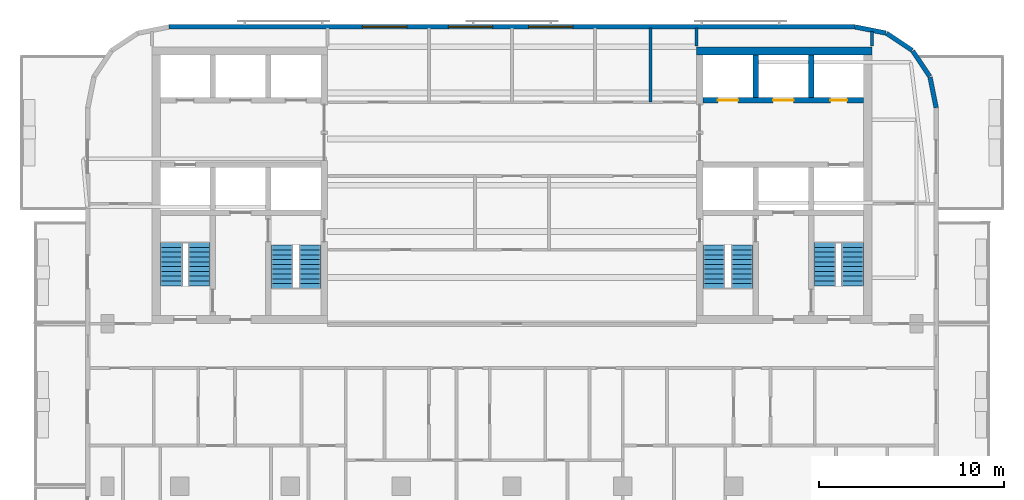
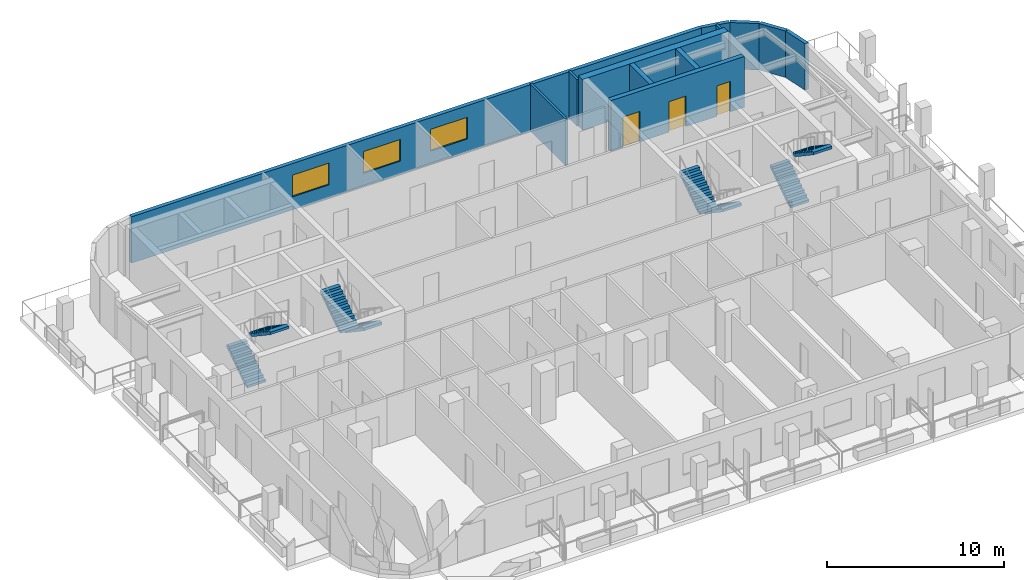
# One storey, part 7 of 11: 12 walls, 8 stair flights, 3 doors, 3 windows, 6 openings, 4 elements without a shape of their own.
"""IFC4 building model written with IfcOpenShell, lengths in metres."""

import ifcopenshell
import ifcopenshell.guid

model = None  # the IFC model being written
_history = None  # IfcOwnerHistory: only IFC2X3 demands one
_inside = {}  # id of a spatial element -> (the spatial element, [elements in it])
_under = {}  # id of a project, library or spatial element -> (it, [spatial elements below it])
_declared = {}  # id of a project -> (the project, [libraries it declares])
_typed = {}  # id of a type object -> (the type object, [elements of that type])
_made_of = {}  # id of a material, layer set ... -> (it, [elements and type objects made of it])


def new_model(schema):
    """Start an empty IFC model of exactly this schema.

    Asked for "IFC4X3", IfcOpenShell would pick the latest addendum, in which some entities
    have other attributes; the version numbers below select the first issue.
    IFC2X3 requires an IfcOwnerHistory on every rooted entity: one is made here for all.
    """
    global model, _history
    if schema == "IFC4X3":
        model = ifcopenshell.file(schema_version=(4, 3, 0, 0))
    else:
        model = ifcopenshell.file(schema=schema)
    _inside.clear()
    _under.clear()
    _declared.clear()
    _typed.clear()
    _made_of.clear()
    _history = None
    if model.schema == "IFC2X3":
        org = make("IfcOrganization", Name="unknown")
        user = make(
            "IfcPersonAndOrganization",
            ThePerson=make("IfcPerson", FamilyName="unknown"),
            TheOrganization=org,
        )
        app = make(
            "IfcApplication",
            ApplicationDeveloper=org,
            Version="unknown",
            ApplicationFullName="unknown",
            ApplicationIdentifier="unknown",
        )
        _history = make(
            "IfcOwnerHistory",
            OwningUser=user,
            OwningApplication=app,
            ChangeAction="ADDED",
            CreationDate=0,
        )
    return model


def make(cls, **values):
    """One entity of the class cls with the attributes given. An attribute that is None is left unset."""
    return model.create_entity(
        cls, **{name: value for name, value in values.items() if value is not None}
    )


def rooted(cls, **values):
    """An entity with a GlobalId (a new one), such as an element, a storey or a relation."""
    return make(cls, GlobalId=ifcopenshell.guid.new(), OwnerHistory=_history, **values)


def si_unit(unit_type, name, prefix=None):
    """IfcSIUnit, for example si_unit("LENGTHUNIT", "METRE", prefix="MILLI")."""
    return make("IfcSIUnit", UnitType=unit_type, Prefix=prefix, Name=name)


def assignment(units):
    """IfcUnitAssignment: the units of a project."""
    return None if units is None else make("IfcUnitAssignment", Units=units)


def point(xyz):
    """IfcCartesianPoint."""
    return None if xyz is None else make("IfcCartesianPoint", Coordinates=xyz)


def direction(xyz):
    """IfcDirection."""
    return None if xyz is None else make("IfcDirection", DirectionRatios=xyz)


def frame(location, z_axis=None, x_axis=None):
    """IfcAxis2Placement3D, a coordinate frame: its origin and axes. An axis left out is left unset."""
    return make(
        "IfcAxis2Placement3D",
        Location=point(location),
        Axis=direction(z_axis),
        RefDirection=direction(x_axis),
    )


def frame_2d(location, x_axis=None):
    """IfcAxis2Placement2D, a coordinate frame in the plane: its origin and x axis."""
    return make(
        "IfcAxis2Placement2D", Location=point(location), RefDirection=direction(x_axis)
    )


def origin():
    """The frame at (0, 0, 0) with its axes left unset."""
    return frame((0.0, 0.0, 0.0))


def place(relative_to, where):
    """IfcLocalPlacement: puts the frame where relative to a parent placement (None: the world)."""
    return make(
        "IfcLocalPlacement", PlacementRelTo=relative_to, RelativePlacement=where
    )


def context(
    kind, dimensions, precision=None, world=None, true_north=None, identifier=None
):
    """IfcGeometricRepresentationContext, for example the 3D "Model" context."""
    return make(
        "IfcGeometricRepresentationContext",
        ContextIdentifier=identifier,
        ContextType=kind,
        CoordinateSpaceDimension=dimensions,
        Precision=precision,
        WorldCoordinateSystem=world,
        TrueNorth=true_north,
    )


def subcontext(parent, identifier, kind, view, scale=None):
    """IfcGeometricRepresentationSubContext, for example "Body" below "Model"."""
    return make(
        "IfcGeometricRepresentationSubContext",
        ContextIdentifier=identifier,
        ContextType=kind,
        ParentContext=parent,
        TargetScale=scale,
        TargetView=view,
    )


def project(units=None, contexts=None):
    """IfcProject with its units and contexts."""
    return rooted(
        "IfcProject",
        Name="project",
        RepresentationContexts=contexts,
        UnitsInContext=assignment(units),
    )


def spatial(cls, under=None, at=None, **own):
    """A site, building, storey or space (cls), placed at a placement, below another one or the project."""
    s = rooted(cls, ObjectPlacement=at, **own)
    if under is not None:
        _under.setdefault(under.id(), (under, []))[1].append(s)
    return s


def polyline(points):
    """IfcPolyline through the points."""
    return make("IfcPolyline", Points=[point(p) for p in points])


def profile(cls, at=None, kind="AREA", **sizes):
    """A parametric profile (cls). Its sizes go by their IFC names, for example OverallWidth=200.0."""
    return make(cls, ProfileType=kind, Position=at, **sizes)


def rectangle(**sizes):
    """IfcRectangleProfileDef."""
    return profile("IfcRectangleProfileDef", **sizes)


def outline(outer, holes=None, kind="AREA"):
    """IfcArbitraryClosedProfileDef: a profile drawn as a closed curve; with holes, ...WithVoids."""
    if holes is None:
        return make("IfcArbitraryClosedProfileDef", ProfileType=kind, OuterCurve=outer)
    return make(
        "IfcArbitraryProfileDefWithVoids",
        ProfileType=kind,
        OuterCurve=outer,
        InnerCurves=holes,
    )


def extrude(swept, where, along, depth):
    """IfcExtrudedAreaSolid: the profile swept, set in the frame where, extruded along a direction by depth."""
    return make(
        "IfcExtrudedAreaSolid",
        SweptArea=swept,
        Position=where,
        ExtrudedDirection=direction(along),
        Depth=depth,
    )


def shape(context_of_items, identifier, shape_type, items):
    """IfcShapeRepresentation: the items that make up one representation, for example the "Body"."""
    return make(
        "IfcShapeRepresentation",
        ContextOfItems=context_of_items,
        RepresentationIdentifier=identifier,
        RepresentationType=shape_type,
        Items=items,
    )


def material(Name=None, Category=None):
    """IfcMaterial."""
    return make("IfcMaterial", Name=Name, Category=Category)


def layer(
    of_material, thickness, ventilated=None, Name=None, Category=None, Priority=None
):
    """IfcMaterialLayer: one layer of a wall or slab, of a material (None: an air gap)."""
    return make(
        "IfcMaterialLayer",
        Material=of_material,
        LayerThickness=thickness,
        IsVentilated=ventilated,
        Name=Name,
        Category=Category,
        Priority=Priority,
    )


def layer_set(layers, Name=None):
    """IfcMaterialLayerSet."""
    return make("IfcMaterialLayerSet", MaterialLayers=layers, LayerSetName=Name)


def made_of(thing, what):
    """Note that an element or type object is made of a material, layer set ...; save() writes the relation."""
    if what is not None:
        _made_of.setdefault(what.id(), (what, []))[1].append(thing)
    return thing


def type_object(cls, material=None, **own):
    """A type object (cls), such as IfcWallType, which elements share."""
    return made_of(rooted(cls, **own), material)


def element(
    cls,
    number,
    at=None,
    inside=None,
    cuts=None,
    type_object=None,
    material=None,
    context=None,
    identifier="Body",
    shape_type=None,
    held_by="IfcProductDefinitionShape",
    body=None,
    shapes=None,
    **own,
):
    """One element of the class cls, such as IfcWall. Its Tag is "e" and its number.

    at: its placement. inside: the storey or other place that contains it. cuts: it is an
    opening in that element (IfcRelVoidsElement). A single representation is given by context,
    identifier, shape_type and body (its items); several are given by shapes. held_by: the class
    of the entity that holds the representations. save() writes the other relations.
    """
    e = rooted(cls, Tag="e%d" % number, ObjectPlacement=at, **own)
    if body is not None:
        shapes = [shape(context, identifier, shape_type, body)]
    if shapes is not None:
        e.Representation = make(held_by, Representations=shapes)
    if inside is not None:
        _inside.setdefault(inside.id(), (inside, []))[1].append(e)
    if cuts is not None:
        rooted(
            "IfcRelVoidsElement", RelatingBuildingElement=cuts, RelatedOpeningElement=e
        )
    if type_object is not None:
        _typed.setdefault(type_object.id(), (type_object, []))[1].append(e)
    return made_of(e, material)


def fill(opening, filler):
    """IfcRelFillsElement: the door or window that sits in an opening."""
    return rooted(
        "IfcRelFillsElement",
        RelatingOpeningElement=opening,
        RelatedBuildingElement=filler,
    )


def aggregate(whole, parts):
    """IfcRelAggregates: a whole, such as a stair, and the parts it consists of."""
    return rooted("IfcRelAggregates", RelatingObject=whole, RelatedObjects=parts)


def save(model, path):
    """Write the relations noted so far, then the file.

    IfcRelAggregates (storeys below a building ...), IfcRelContainedInSpatialStructure (elements
    in a storey), IfcRelDefinesByType, IfcRelAssociatesMaterial and IfcRelDeclares: one each for
    every whole, place, type object, material and project.
    """
    for whole, parts in _under.values():
        aggregate(whole, parts)
    for where, things in _inside.values():
        rooted(
            "IfcRelContainedInSpatialStructure",
            RelatedElements=things,
            RelatingStructure=where,
        )
    for kind, things in _typed.values():
        rooted("IfcRelDefinesByType", RelatedObjects=things, RelatingType=kind)
    for what, things in _made_of.values():
        rooted("IfcRelAssociatesMaterial", RelatedObjects=things, RelatingMaterial=what)
    for by, libraries in _declared.values():
        rooted("IfcRelDeclares", RelatingContext=by, RelatedDefinitions=libraries)
    model.write(path)


model = new_model("IFC4")

# Units and contexts
model_context = context("Model", 3, precision=1e-05, world=origin(), true_north=direction((0.0, 1.0)))
body_context = subcontext(model_context, "Body", "Model", "MODEL_VIEW")
ifc_project = project(units=[si_unit("LENGTHUNIT", "METRE"), si_unit("AREAUNIT", "SQUARE_METRE"), si_unit("VOLUMEUNIT", "CUBIC_METRE"), si_unit("PLANEANGLEUNIT", "RADIAN"), si_unit("MASSUNIT", "GRAM", prefix="KILO")], contexts=[model_context])

# Site, building, storey
site_placement = place(None, origin())
site = spatial("IfcSite", under=ifc_project, at=site_placement, CompositionType="ELEMENT")
building_placement = place(site_placement, origin())
building = spatial("IfcBuilding", under=site, at=building_placement, Name="Torana Hotel and Residences", CompositionType="ELEMENT")
storey_placement = place(building_placement, frame((0.0, 0.0, 305.10009765625)))
storey = spatial("IfcBuildingStorey", under=building, at=storey_placement, Name="L81", CompositionType="ELEMENT", Elevation=305.10009765625)

# Wall, openings, doors
ifc_material_1 = material(Name="Concrete C60/75", Category="concrete")
ifc_layer_1 = layer(ifc_material_1, 0.300048828125)
ifc_layer_set_1 = layer_set([ifc_layer_1], Name="CORE WALL 300 C60/75")
wall_type_1 = type_object("IfcWallType", Name="CORE WALL 300 C60/75", PredefinedType="SHEAR", material=ifc_layer_set_1)
wall_1_placement = place(storey_placement, frame((10.35009765625, -2.89990234375, 0.0), z_axis=(0.0, 0.0, 1.0), x_axis=(1.0, 0.0, 0.0)))
wall_1 = element("IfcWall", 1, at=wall_1_placement, inside=storey, type_object=wall_type_1, Name="Core wall E row-N", PredefinedType="SHEAR", context=body_context, shape_type="SweptSolid", body=[
    extrude(rectangle(XDim=8.699951171875, YDim=0.300048828125, at=frame_2d((4.35009765625, 0.0))), origin(), (0.0, 0.0, 1.0), 3.5),
])
opening_1_placement = place(wall_1_placement, frame((0.800048828125, 0.0, 0.0)))
opening_1 = element("IfcOpeningElement", 2, at=opening_1_placement, cuts=wall_1, Name="Opening LD", PredefinedType="OPENING", context=body_context, shape_type="SweptSolid", body=[
    extrude(rectangle(XDim=1.10009765625, YDim=2.10009765625, at=frame_2d((0.550048828125, 1.050048828125))), frame((0.0, 0.159912109375, 0.0), z_axis=(0.0, -1.0, 0.0), x_axis=(1.0, 0.0, 0.0)), (0.0, 0.0, 1.0), 0.320068359375),
])
opening_2_placement = place(wall_1_placement, frame((3.800048828125, 0.0, 0.0)))
opening_2 = element("IfcOpeningElement", 3, at=opening_2_placement, cuts=wall_1, Name="Opening LD", PredefinedType="OPENING", context=body_context, shape_type="SweptSolid", body=[
    extrude(rectangle(XDim=1.10009765625, YDim=2.10009765625, at=frame_2d((0.550048828125, 1.050048828125))), frame((0.0, 0.159912109375, 0.0), z_axis=(0.0, -1.0, 0.0), x_axis=(1.0, 0.0, 0.0)), (0.0, 0.0, 1.0), 0.320068359375),
])
opening_3_placement = place(wall_1_placement, frame((6.89990234375, 0.0, 0.0)))
opening_3 = element("IfcOpeningElement", 4, at=opening_3_placement, cuts=wall_1, Name="Opening L81-14", PredefinedType="OPENING", context=body_context, shape_type="SweptSolid", body=[
    extrude(rectangle(XDim=0.89990234375, YDim=2.10009765625, at=frame_2d((0.449951171875, 1.050048828125))), frame((0.0, 0.159912109375, 0.0), z_axis=(0.0, -1.0, 0.0), x_axis=(1.0, 0.0, 0.0)), (0.0, 0.0, 1.0), 0.320068359375),
])
ifc_material_2 = material(Name="Stainless steel 316", Category="steel")
door_type_1 = type_object("IfcDoorType", Name="LIFT LANDING DOOR LD 1100x2100", OperationType="DOUBLE_DOOR_SLIDING", PredefinedType="USERDEFINED", material=ifc_material_2)
door_1_placement = place(opening_1_placement, origin())
door_1 = element("IfcDoor", 5, at=door_1_placement, inside=storey, type_object=door_type_1, Name="Lift landing door H3 L81", ObjectType="LIFT LANDING DOOR", OperationType="DOUBLE_DOOR_SLIDING", OverallHeight=2.10009765625, OverallWidth=1.10009765625, PredefinedType="USERDEFINED", context=body_context, shape_type="SweptSolid", body=[
    extrude(rectangle(XDim=1.10009765625, YDim=2.10009765625, at=frame_2d((0.550048828125, 1.050048828125))), frame((0.0, 0.02490234375, 0.0), z_axis=(0.0, -1.0, 0.0), x_axis=(1.0, 0.0, 0.0)), (0.0, 0.0, 1.0), 0.050048828125),
])
fill(opening_1, door_1)
door_2_placement = place(opening_2_placement, origin())
door_2 = element("IfcDoor", 6, at=door_2_placement, inside=storey, type_object=door_type_1, Name="Lift landing door H4 L81", ObjectType="LIFT LANDING DOOR", OperationType="DOUBLE_DOOR_SLIDING", OverallHeight=2.10009765625, OverallWidth=1.10009765625, PredefinedType="USERDEFINED", context=body_context, shape_type="SweptSolid", body=[
    extrude(rectangle(XDim=1.10009765625, YDim=2.10009765625, at=frame_2d((0.550048828125, 1.050048828125))), frame((0.0, 0.02490234375, 0.0), z_axis=(0.0, -1.0, 0.0), x_axis=(1.0, 0.0, 0.0)), (0.0, 0.0, 1.0), 0.050048828125),
])
fill(opening_2, door_2)
ifc_material_3 = material(Name="Steel S235", Category="steel")
door_type_2 = type_object("IfcDoorType", Name="RISER ACCESS DOOR D5 900x2100", OperationType="SINGLE_SWING_LEFT", PredefinedType="DOOR", material=ifc_material_3)
door_3_placement = place(opening_3_placement, origin())
door_3 = element("IfcDoor", 7, at=door_3_placement, inside=storey, type_object=door_type_2, Name="N2 door L81", OperationType="SINGLE_SWING_RIGHT", OverallHeight=2.10009765625, OverallWidth=0.89990234375, PredefinedType="DOOR", context=body_context, shape_type="SweptSolid", body=[
    extrude(rectangle(XDim=0.89990234375, YDim=2.10009765625, at=frame_2d((0.449951171875, 1.050048828125))), frame((0.0, 0.02490234375, 0.0), z_axis=(0.0, -1.0, 0.0), x_axis=(1.0, 0.0, 0.0)), (0.0, 0.0, 1.0), 0.050048828125),
])
fill(opening_3, door_3)

# Walls
for number, where, z_axis, x_axis, name in (
    (8, (13.199951171875, -2.75, 0.0), (0.0, 0.0, 1.0), (0.0, 1.0, 0.0), "Core wall E x3.05-N"),
    (9, (16.199951171875, -2.75, 0.0), (0.0, 0.0, 1.0), (0.0, 1.0, 0.0), "Core wall E x6.05-N"),
):
    element("IfcWall", number, at=place(storey_placement, frame(where, z_axis=z_axis, x_axis=x_axis)), inside=storey, type_object=wall_type_1, Name=name, PredefinedType="SHEAR", context=body_context, shape_type="SweptSolid", body=[
        extrude(rectangle(XDim=2.300048828125, YDim=0.300048828125, at=frame_2d((1.14990234375, 0.0))), origin(), (0.0, 0.0, 1.0), 3.5),
    ])
ifc_material_4 = material(Name="Concrete C60/75", Category="concrete")
ifc_layer_2 = layer(ifc_material_4, 0.449951171875)
ifc_layer_set_2 = layer_set([ifc_layer_2], Name="CORE WALL 450 C60/75")
wall_type_2 = type_object("IfcWallType", Name="CORE WALL 450 C60/75", PredefinedType="SHEAR", material=ifc_layer_set_2)
wall_2_placement = place(storey_placement, frame((10.0, -0.22509765625, 0.0), z_axis=(0.0, 0.0, 1.0), x_axis=(1.0, 0.0, 0.0)))
element("IfcWall", 10, at=wall_2_placement, inside=storey, type_object=wall_type_2, Name="Core wall E rear", PredefinedType="SHEAR", context=body_context, shape_type="SweptSolid", body=[
    extrude(rectangle(XDim=9.5, YDim=0.449951171875, at=frame_2d((4.75, 0.0))), origin(), (0.0, 0.0, 1.0), 3.5),
])
ifc_material_5 = material(Name="Black aluminium composite panel", Category="aluminium")
ifc_layer_3 = layer(ifc_material_5, 0.00390625, Name="Cladding", Category="cladding")
ifc_material_6 = material(Name="Ventilated air cavity")
ifc_layer_4 = layer(ifc_material_6, 0.0400390625, Name="Ventilated cavity", Category="cavity")
ifc_material_7 = material(Name="Mineral wool insulation")
ifc_layer_5 = layer(ifc_material_7, 0.090087890625, Name="Insulation", Category="insulation")
ifc_material_8 = material(Name="Steel S280GD", Category="steel")
ifc_layer_6 = layer(ifc_material_8, 0.092041015625, Name="Steel stud frame", Category="structure")
ifc_material_9 = material(Name="Fire rated plasterboard")
ifc_layer_7 = layer(ifc_material_9, 0.011962890625, Name="Inner board", Category="finish")
ifc_layer_8 = layer(ifc_material_9, 0.011962890625, Name="Second board", Category="finish")
ifc_layer_set_3 = layer_set([ifc_layer_3, ifc_layer_4, ifc_layer_5, ifc_layer_6, ifc_layer_7, ifc_layer_8], Name="EW1 EXTERNAL WALL BLACK METAL CLAD 250")
wall_type_3 = type_object("IfcWallType", Name="EW1 EXTERNAL WALL BLACK METAL CLAD 250", PredefinedType="SOLIDWALL", material=ifc_layer_set_3)
wall_3_placement = place(storey_placement, frame((22.97265625, -3.30029296875, 0.0), z_axis=(0.0, 0.0, 1.0), x_axis=(-0.19513878023, 0.980775640221, 0.0)))
element("IfcWall", 11, at=wall_3_placement, inside=storey, type_object=wall_type_3, Name="External wall L81 e0.0", PredefinedType="SOLIDWALL", context=body_context, shape_type="SweptSolid", body=[
    extrude(rectangle(XDim=1.681396484375, YDim=0.25, at=frame_2d((0.8408203125, 0.0))), origin(), (0.0, 0.0, 1.0), 3.199951171875),
])
for number, where, z_axis, x_axis, name in (
    (12, (22.6259765625, -1.60595703125, 0.0), (0.0, 0.0, 1.0), (-0.55555029066, 0.831482937015, 0.0), "External wall L81 e0.1"),
    (13, (21.671142578125, -0.1943359375, 0.0), (0.0, 0.0, 1.0), (-0.831482937015, 0.55555029066, 0.0), "External wall L81 e0.2"),
):
    element("IfcWall", number, at=place(storey_placement, frame(where, z_axis=z_axis, x_axis=x_axis)), inside=storey, type_object=wall_type_3, Name=name, PredefinedType="SOLIDWALL", context=body_context, shape_type="SweptSolid", body=[
        extrude(rectangle(XDim=1.65625, YDim=0.25, at=frame_2d((0.828125, 0.0))), origin(), (0.0, 0.0, 1.0), 3.199951171875),
    ])
wall_4_placement = place(storey_placement, frame((20.248779296875, 0.74462890625, 0.0), z_axis=(0.0, 0.0, 1.0), x_axis=(-0.980797896849, 0.195026884138, 0.0)))
element("IfcWall", 14, at=wall_4_placement, inside=storey, type_object=wall_type_3, Name="External wall L81 e0.3", PredefinedType="SOLIDWALL", context=body_context, shape_type="SweptSolid", body=[
    extrude(rectangle(XDim=1.68115234375, YDim=0.25, at=frame_2d((0.840576171875, 0.0))), origin(), (0.0, 0.0, 1.0), 3.199951171875),
])

# Wall, openings, windows
ifc_material_10 = material(Name="Concrete C40/50 precast", Category="concrete")
ifc_layer_9 = layer(ifc_material_10, 0.10009765625, Name="Perforated block", Category="cladding")
ifc_material_11 = material(Name="Air cavity")
ifc_layer_10 = layer(ifc_material_11, 0.030029296875, Name="Cavity", Category="cavity")
ifc_material_12 = material(Name="Concrete C40/50", Category="concrete")
ifc_layer_11 = layer(ifc_material_12, 0.10009765625, Name="Wall", Category="structure")
ifc_material_13 = material(Name="Plaster and paint")
ifc_layer_12 = layer(ifc_material_13, 0.02001953125, Name="Inner finish", Category="finish")
ifc_layer_set_4 = layer_set([ifc_layer_9, ifc_layer_10, ifc_layer_11, ifc_layer_12], Name="EW2 PERFORATED BLOCK SCREEN WALL 250")
wall_type_4 = type_object("IfcWallType", Name="EW2 PERFORATED BLOCK SCREEN WALL 250", PredefinedType="SOLIDWALL", material=ifc_layer_set_4)
wall_5_placement = place(storey_placement, frame((18.575439453125, 1.074951171875, 0.0), z_axis=(0.0, 0.0, 1.0), x_axis=(-1.0, 0.0, 0.0)))
wall_5 = element("IfcWall", 15, at=wall_5_placement, inside=storey, type_object=wall_type_4, Name="External wall L81 e0.4", PredefinedType="SOLIDWALL", context=body_context, shape_type="SweptSolid", body=[
    extrude(rectangle(XDim=37.15087890625, YDim=0.25, at=frame_2d((18.575439453125, 0.0))), origin(), (0.0, 0.0, 1.0), 3.199951171875),
])
opening_4_placement = place(wall_5_placement, frame((15.275390625, 0.0, 0.89990234375)))
opening_4 = element("IfcOpeningElement", 16, at=opening_4_placement, cuts=wall_5, Name="Opening W3", PredefinedType="OPENING", context=body_context, shape_type="SweptSolid", body=[
    extrude(rectangle(XDim=2.39990234375, YDim=1.5, at=frame_2d((1.199951171875, 0.75))), frame((0.0, 0.135009765625, 0.0), z_axis=(0.0, -1.0, 0.0), x_axis=(1.0, 0.0, 0.0)), (0.0, 0.0, 1.0), 0.27001953125),
])
opening_5_placement = place(wall_5_placement, frame((19.62548828125, 0.0, 0.89990234375)))
opening_5 = element("IfcOpeningElement", 17, at=opening_5_placement, cuts=wall_5, Name="Opening W3", PredefinedType="OPENING", context=body_context, shape_type="SweptSolid", body=[
    extrude(rectangle(XDim=2.39990234375, YDim=1.5, at=frame_2d((1.199951171875, 0.75))), frame((0.0, 0.135009765625, 0.0), z_axis=(0.0, -1.0, 0.0), x_axis=(1.0, 0.0, 0.0)), (0.0, 0.0, 1.0), 0.27001953125),
])
opening_6_placement = place(wall_5_placement, frame((24.275390625, 0.0, 0.89990234375)))
opening_6 = element("IfcOpeningElement", 18, at=opening_6_placement, cuts=wall_5, Name="Opening W3", PredefinedType="OPENING", context=body_context, shape_type="SweptSolid", body=[
    extrude(rectangle(XDim=2.39990234375, YDim=1.5, at=frame_2d((1.199951171875, 0.75))), frame((0.0, 0.135009765625, 0.0), z_axis=(0.0, -1.0, 0.0), x_axis=(1.0, 0.0, 0.0)), (0.0, 0.0, 1.0), 0.27001953125),
])
ifc_material_14 = material(Name="Dark glass in black aluminium frame", Category="aluminium")
window_type = type_object("IfcWindowType", Name="W3 RESIDENCE WINDOW 2400x1500", PartitioningType="SINGLE_PANEL", PredefinedType="WINDOW", material=ifc_material_14)
window_1_placement = place(opening_4_placement, origin())
window_1 = element("IfcWindow", 19, at=window_1_placement, inside=storey, type_object=window_type, Name="Window L81", OverallHeight=1.5, OverallWidth=2.39990234375, PartitioningType="SINGLE_PANEL", PredefinedType="WINDOW", context=body_context, shape_type="SweptSolid", body=[
    extrude(rectangle(XDim=2.39990234375, YDim=1.5, at=frame_2d((1.199951171875, 0.75))), frame((0.0, 0.030029296875, 0.0), z_axis=(0.0, -1.0, 0.0), x_axis=(1.0, 0.0, 0.0)), (0.0, 0.0, 1.0), 0.06005859375),
])
fill(opening_4, window_1)
window_2_placement = place(opening_5_placement, origin())
window_2 = element("IfcWindow", 20, at=window_2_placement, inside=storey, type_object=window_type, Name="Window L81", OverallHeight=1.5, OverallWidth=2.39990234375, PartitioningType="SINGLE_PANEL", PredefinedType="WINDOW", context=body_context, shape_type="SweptSolid", body=[
    extrude(rectangle(XDim=2.39990234375, YDim=1.5, at=frame_2d((1.199951171875, 0.75))), frame((0.0, 0.030029296875, 0.0), z_axis=(0.0, -1.0, 0.0), x_axis=(1.0, 0.0, 0.0)), (0.0, 0.0, 1.0), 0.06005859375),
])
fill(opening_5, window_2)
window_3_placement = place(opening_6_placement, origin())
window_3 = element("IfcWindow", 21, at=window_3_placement, inside=storey, type_object=window_type, Name="Window L81", OverallHeight=1.5, OverallWidth=2.39990234375, PartitioningType="SINGLE_PANEL", PredefinedType="WINDOW", context=body_context, shape_type="SweptSolid", body=[
    extrude(rectangle(XDim=2.39990234375, YDim=1.5, at=frame_2d((1.199951171875, 0.75))), frame((0.0, 0.030029296875, 0.0), z_axis=(0.0, -1.0, 0.0), x_axis=(1.0, 0.0, 0.0)), (0.0, 0.0, 1.0), 0.06005859375),
])
fill(opening_6, window_3)

# Walls
ifc_material_15 = material(Name="Gypsum plasterboard")
ifc_layer_13 = layer(ifc_material_15, 0.012451171875, Name="Plasterboard", Category="finish")
ifc_layer_14 = layer(ifc_material_15, 0.012451171875, Name="Plasterboard", Category="finish")
ifc_layer_15 = layer(ifc_material_8, 0.10009765625, Name="Steel studs with mineral wool", Category="insulation")
ifc_layer_16 = layer(ifc_material_15, 0.012451171875, Name="Plasterboard", Category="finish")
ifc_layer_17 = layer(ifc_material_15, 0.012451171875, Name="Plasterboard", Category="finish")
ifc_layer_set_5 = layer_set([ifc_layer_13, ifc_layer_14, ifc_layer_15, ifc_layer_16, ifc_layer_17], Name="PARTITION 150 PLASTERBOARD")
wall_type_5 = type_object("IfcWallType", Name="PARTITION 150 PLASTERBOARD", PredefinedType="PARTITIONING", material=ifc_layer_set_5)
wall_6_placement = place(storey_placement, frame((19.5, 0.050048828125, 0.0), z_axis=(0.0, 0.0, 1.0), x_axis=(0.0, 1.0, 0.0)))
element("IfcWall", 22, at=wall_6_placement, inside=storey, type_object=wall_type_5, Name="Partition L81", PredefinedType="PARTITIONING", context=body_context, shape_type="SweptSolid", body=[
    extrude(rectangle(XDim=0.787353515625, YDim=0.14990234375, at=frame_2d((0.3935546875, 0.0))), origin(), (0.0, 0.0, 1.0), 3.219970703125),
])
ifc_material_16 = material(Name="Ceramic tile on adhesive")
ifc_layer_18 = layer(ifc_material_16, 0.010009765625, Name="Wall tile", Category="finish")
ifc_material_17 = material(Name="Cement render")
ifc_layer_19 = layer(ifc_material_17, 0.010009765625, Name="Render", Category="finish")
ifc_material_18 = material(Name="Concrete blockwork", Category="masonry")
ifc_layer_20 = layer(ifc_material_18, 0.110107421875, Name="Blockwork", Category="structure")
ifc_layer_21 = layer(ifc_material_17, 0.010009765625, Name="Render", Category="finish")
ifc_layer_22 = layer(ifc_material_16, 0.010009765625, Name="Wall tile", Category="finish")
ifc_layer_set_6 = layer_set([ifc_layer_18, ifc_layer_19, ifc_layer_20, ifc_layer_21, ifc_layer_22], Name="WC PARTITION 150")
wall_type_6 = type_object("IfcWallType", Name="WC PARTITION 150", PredefinedType="PLUMBINGWALL", material=ifc_layer_set_6)
wall_7_placement = place(storey_placement, frame((10.0, 0.050048828125, 0.0), z_axis=(0.0, 0.0, 1.0), x_axis=(0.0, 1.0, 0.0)))
element("IfcWall", 23, at=wall_7_placement, inside=storey, type_object=wall_type_6, Name="Partition L81", PredefinedType="PLUMBINGWALL", context=body_context, shape_type="SweptSolid", body=[
    extrude(rectangle(XDim=0.969970703125, YDim=0.14990234375, at=frame_2d((0.48486328125, 0.0))), origin(), (0.0, 0.0, 1.0), 3.219970703125),
])
wall_8_placement = place(storey_placement, frame((7.5, -3.0, 0.0), z_axis=(0.0, 0.0, 1.0), x_axis=(0.0, 1.0, 0.0)))
element("IfcWall", 24, at=wall_8_placement, inside=storey, type_object=wall_type_6, Name="Partition L81", PredefinedType="PLUMBINGWALL", context=body_context, shape_type="SweptSolid", body=[
    extrude(rectangle(XDim=4.02001953125, YDim=0.14990234375, at=frame_2d((2.010009765625, 0.0))), origin(), (0.0, 0.0, 1.0), 3.219970703125),
])

# Stair, stair flights
ifc_material_19 = material(Name="Concrete C40/50 precast", Category="concrete")
stair_type_1 = type_object("IfcStairType", Name="STAIR ST1 HALF TURN 1200", PredefinedType="HALF_TURN_STAIR", material=ifc_material_19)
stair_1_placement = place(storey_placement, origin())
stair_1 = element("IfcStair", 25, at=stair_1_placement, inside=storey, type_object=stair_type_1, Name="Stair ST1 L81", PredefinedType="HALF_TURN_STAIR")
ifc_material_20 = material(Name="Concrete C40/50 precast", Category="concrete")
stair_flight_type = type_object("IfcStairFlightType", Name="STAIR FLIGHT 1200 PRECAST", PredefinedType="STRAIGHT", material=ifc_material_20)
stair_flight_1_placement = place(storey_placement, frame((-10.949951171875, -10.75, 0.0), z_axis=(0.0, 0.0, 1.0), x_axis=(0.0, -1.0, 0.0)))
stair_flight_1 = element("IfcStairFlight", 26, at=stair_flight_1_placement, type_object=stair_flight_type, Name="ST1 flight 1", NumberOfRisers=10, NumberOfTreads=9, PredefinedType="STRAIGHT", RiserHeight=0.175, TreadLength=0.26, context=body_context, shape_type="SweptSolid", body=[
    extrude(outline(polyline([(0.0, 0.0), (0.0, 0.175048828125), (0.260009765625, 0.175048828125), (0.260009765625, 0.35009765625), (0.52001953125, 0.35009765625), (0.52001953125, 0.52490234375), (0.780029296875, 0.52490234375), (0.780029296875, 0.699951171875), (1.0400390625, 0.699951171875), (1.0400390625, 0.875), (1.300048828125, 0.875), (1.300048828125, 1.050048828125), (1.56005859375, 1.050048828125), (1.56005859375, 1.22509765625), (1.820068359375, 1.22509765625), (1.820068359375, 1.39990234375), (2.080078125, 1.39990234375), (2.080078125, 1.574951171875), (2.340087890625, 1.574951171875), (2.340087890625, 1.75), (2.340087890625, 1.394287109375), (0.2685546875, 0.0), (0.0, 0.0)])), frame((0.0, 0.60009765625, 0.0), z_axis=(0.0, -1.0, 0.0), x_axis=(1.0, 0.0, 0.0)), (0.0, 0.0, 1.0), 1.199951171875),
])
stair_flight_2_placement = place(storey_placement, frame((-12.449951171875, -13.090087890625, 1.75), z_axis=(0.0, 0.0, 1.0), x_axis=(0.0, 1.0, 0.0)))
stair_flight_2 = element("IfcStairFlight", 27, at=stair_flight_2_placement, type_object=stair_flight_type, Name="ST1 flight 2", NumberOfRisers=10, NumberOfTreads=9, PredefinedType="STRAIGHT", RiserHeight=0.175, TreadLength=0.26, context=body_context, shape_type="SweptSolid", body=[
    extrude(outline(polyline([(0.0, 0.0), (0.0, 0.175048828125), (0.260009765625, 0.175048828125), (0.260009765625, 0.35009765625), (0.52001953125, 0.35009765625), (0.52001953125, 0.52490234375), (0.780029296875, 0.52490234375), (0.780029296875, 0.699951171875), (1.0400390625, 0.699951171875), (1.0400390625, 0.875), (1.300048828125, 0.875), (1.300048828125, 1.050048828125), (1.56005859375, 1.050048828125), (1.56005859375, 1.22509765625), (1.820068359375, 1.22509765625), (1.820068359375, 1.39990234375), (2.080078125, 1.39990234375), (2.080078125, 1.574951171875), (2.340087890625, 1.574951171875), (2.340087890625, 1.75), (2.340087890625, 1.394287109375), (0.2685546875, 0.0), (0.0, 0.0)])), frame((0.0, 0.60009765625, 0.0), z_axis=(0.0, -1.0, 0.0), x_axis=(1.0, 0.0, 0.0)), (0.0, 0.0, 1.0), 1.199951171875),
])
aggregate(stair_1, [stair_flight_1, stair_flight_2])

ifc_material_21 = material(Name="Concrete C40/50 precast", Category="concrete")
stair_type_2 = type_object("IfcStairType", Name="STAIR ST2 HALF TURN 1200", PredefinedType="HALF_TURN_STAIR", material=ifc_material_21)
stair_2_placement = place(storey_placement, origin())
stair_2 = element("IfcStair", 28, at=stair_2_placement, inside=storey, type_object=stair_type_2, Name="Stair ST2 L81", PredefinedType="HALF_TURN_STAIR")
stair_flight_3_placement = place(storey_placement, frame((-18.449951171875, -12.949951171875, 0.0), z_axis=(0.0, 0.0, 1.0), x_axis=(0.0, 1.0, 0.0)))
stair_flight_3 = element("IfcStairFlight", 29, at=stair_flight_3_placement, type_object=stair_flight_type, Name="ST2 flight 1", NumberOfRisers=10, NumberOfTreads=9, PredefinedType="STRAIGHT", RiserHeight=0.175, TreadLength=0.26, context=body_context, shape_type="SweptSolid", body=[
    extrude(outline(polyline([(0.0, 0.0), (0.0, 0.175048828125), (0.260009765625, 0.175048828125), (0.260009765625, 0.35009765625), (0.52001953125, 0.35009765625), (0.52001953125, 0.52490234375), (0.780029296875, 0.52490234375), (0.780029296875, 0.699951171875), (1.0400390625, 0.699951171875), (1.0400390625, 0.875), (1.300048828125, 0.875), (1.300048828125, 1.050048828125), (1.56005859375, 1.050048828125), (1.56005859375, 1.22509765625), (1.820068359375, 1.22509765625), (1.820068359375, 1.39990234375), (2.080078125, 1.39990234375), (2.080078125, 1.574951171875), (2.340087890625, 1.574951171875), (2.340087890625, 1.75), (2.340087890625, 1.394287109375), (0.2685546875, 0.0), (0.0, 0.0)])), frame((0.0, 0.60009765625, 0.0), z_axis=(0.0, -1.0, 0.0), x_axis=(1.0, 0.0, 0.0)), (0.0, 0.0, 1.0), 1.199951171875),
])
stair_flight_4_placement = place(storey_placement, frame((-16.949951171875, -10.610107421875, 1.75), z_axis=(0.0, 0.0, 1.0), x_axis=(0.0, -1.0, 0.0)))
stair_flight_4 = element("IfcStairFlight", 30, at=stair_flight_4_placement, type_object=stair_flight_type, Name="ST2 flight 2", NumberOfRisers=10, NumberOfTreads=9, PredefinedType="STRAIGHT", RiserHeight=0.175, TreadLength=0.26, context=body_context, shape_type="SweptSolid", body=[
    extrude(outline(polyline([(0.0, 0.0), (0.0, 0.175048828125), (0.260009765625, 0.175048828125), (0.260009765625, 0.35009765625), (0.52001953125, 0.35009765625), (0.52001953125, 0.52490234375), (0.780029296875, 0.52490234375), (0.780029296875, 0.699951171875), (1.0400390625, 0.699951171875), (1.0400390625, 0.875), (1.300048828125, 0.875), (1.300048828125, 1.050048828125), (1.56005859375, 1.050048828125), (1.56005859375, 1.22509765625), (1.820068359375, 1.22509765625), (1.820068359375, 1.39990234375), (2.080078125, 1.39990234375), (2.080078125, 1.574951171875), (2.340087890625, 1.574951171875), (2.340087890625, 1.75), (2.340087890625, 1.394287109375), (0.2685546875, 0.0), (0.0, 0.0)])), frame((0.0, 0.60009765625, 0.0), z_axis=(0.0, -1.0, 0.0), x_axis=(1.0, 0.0, 0.0)), (0.0, 0.0, 1.0), 1.199951171875),
])
aggregate(stair_2, [stair_flight_3, stair_flight_4])

ifc_material_22 = material(Name="Concrete C40/50 precast", Category="concrete")
stair_type_3 = type_object("IfcStairType", Name="STAIR ST3 HALF TURN 1200", PredefinedType="HALF_TURN_STAIR", material=ifc_material_22)
stair_3_placement = place(storey_placement, origin())
stair_3 = element("IfcStair", 31, at=stair_3_placement, inside=storey, type_object=stair_type_3, Name="Stair ST3 L81", PredefinedType="HALF_TURN_STAIR")
stair_flight_5_placement = place(storey_placement, frame((12.449951171875, -10.75, 0.0), z_axis=(0.0, 0.0, 1.0), x_axis=(0.0, -1.0, 0.0)))
stair_flight_5 = element("IfcStairFlight", 32, at=stair_flight_5_placement, type_object=stair_flight_type, Name="ST3 flight 1", NumberOfRisers=10, NumberOfTreads=9, PredefinedType="STRAIGHT", RiserHeight=0.175, TreadLength=0.26, context=body_context, shape_type="SweptSolid", body=[
    extrude(outline(polyline([(0.0, 0.0), (0.0, 0.175048828125), (0.260009765625, 0.175048828125), (0.260009765625, 0.35009765625), (0.52001953125, 0.35009765625), (0.52001953125, 0.52490234375), (0.780029296875, 0.52490234375), (0.780029296875, 0.699951171875), (1.0400390625, 0.699951171875), (1.0400390625, 0.875), (1.300048828125, 0.875), (1.300048828125, 1.050048828125), (1.56005859375, 1.050048828125), (1.56005859375, 1.22509765625), (1.820068359375, 1.22509765625), (1.820068359375, 1.39990234375), (2.080078125, 1.39990234375), (2.080078125, 1.574951171875), (2.340087890625, 1.574951171875), (2.340087890625, 1.75), (2.340087890625, 1.394287109375), (0.2685546875, 0.0), (0.0, 0.0)])), frame((0.0, 0.60009765625, 0.0), z_axis=(0.0, -1.0, 0.0), x_axis=(1.0, 0.0, 0.0)), (0.0, 0.0, 1.0), 1.199951171875),
])
stair_flight_6_placement = place(storey_placement, frame((10.949951171875, -13.090087890625, 1.75), z_axis=(0.0, 0.0, 1.0), x_axis=(0.0, 1.0, 0.0)))
stair_flight_6 = element("IfcStairFlight", 33, at=stair_flight_6_placement, type_object=stair_flight_type, Name="ST3 flight 2", NumberOfRisers=10, NumberOfTreads=9, PredefinedType="STRAIGHT", RiserHeight=0.175, TreadLength=0.26, context=body_context, shape_type="SweptSolid", body=[
    extrude(outline(polyline([(0.0, 0.0), (0.0, 0.175048828125), (0.260009765625, 0.175048828125), (0.260009765625, 0.35009765625), (0.52001953125, 0.35009765625), (0.52001953125, 0.52490234375), (0.780029296875, 0.52490234375), (0.780029296875, 0.699951171875), (1.0400390625, 0.699951171875), (1.0400390625, 0.875), (1.300048828125, 0.875), (1.300048828125, 1.050048828125), (1.56005859375, 1.050048828125), (1.56005859375, 1.22509765625), (1.820068359375, 1.22509765625), (1.820068359375, 1.39990234375), (2.080078125, 1.39990234375), (2.080078125, 1.574951171875), (2.340087890625, 1.574951171875), (2.340087890625, 1.75), (2.340087890625, 1.394287109375), (0.2685546875, 0.0), (0.0, 0.0)])), frame((0.0, 0.60009765625, 0.0), z_axis=(0.0, -1.0, 0.0), x_axis=(1.0, 0.0, 0.0)), (0.0, 0.0, 1.0), 1.199951171875),
])
aggregate(stair_3, [stair_flight_5, stair_flight_6])

ifc_material_23 = material(Name="Concrete C40/50 precast", Category="concrete")
stair_type_4 = type_object("IfcStairType", Name="STAIR ST4 HALF TURN 1200", PredefinedType="HALF_TURN_STAIR", material=ifc_material_23)
stair_4_placement = place(storey_placement, origin())
stair_4 = element("IfcStair", 34, at=stair_4_placement, inside=storey, type_object=stair_type_4, Name="Stair ST4 L81", PredefinedType="HALF_TURN_STAIR")
stair_flight_7_placement = place(storey_placement, frame((16.949951171875, -12.949951171875, 0.0), z_axis=(0.0, 0.0, 1.0), x_axis=(0.0, 1.0, 0.0)))
stair_flight_7 = element("IfcStairFlight", 35, at=stair_flight_7_placement, type_object=stair_flight_type, Name="ST4 flight 1", NumberOfRisers=10, NumberOfTreads=9, PredefinedType="STRAIGHT", RiserHeight=0.175, TreadLength=0.26, context=body_context, shape_type="SweptSolid", body=[
    extrude(outline(polyline([(0.0, 0.0), (0.0, 0.175048828125), (0.260009765625, 0.175048828125), (0.260009765625, 0.35009765625), (0.52001953125, 0.35009765625), (0.52001953125, 0.52490234375), (0.780029296875, 0.52490234375), (0.780029296875, 0.699951171875), (1.0400390625, 0.699951171875), (1.0400390625, 0.875), (1.300048828125, 0.875), (1.300048828125, 1.050048828125), (1.56005859375, 1.050048828125), (1.56005859375, 1.22509765625), (1.820068359375, 1.22509765625), (1.820068359375, 1.39990234375), (2.080078125, 1.39990234375), (2.080078125, 1.574951171875), (2.340087890625, 1.574951171875), (2.340087890625, 1.75), (2.340087890625, 1.394287109375), (0.2685546875, 0.0), (0.0, 0.0)])), frame((0.0, 0.60009765625, 0.0), z_axis=(0.0, -1.0, 0.0), x_axis=(1.0, 0.0, 0.0)), (0.0, 0.0, 1.0), 1.199951171875),
])
stair_flight_8_placement = place(storey_placement, frame((18.449951171875, -10.610107421875, 1.75), z_axis=(0.0, 0.0, 1.0), x_axis=(0.0, -1.0, 0.0)))
stair_flight_8 = element("IfcStairFlight", 36, at=stair_flight_8_placement, type_object=stair_flight_type, Name="ST4 flight 2", NumberOfRisers=10, NumberOfTreads=9, PredefinedType="STRAIGHT", RiserHeight=0.175, TreadLength=0.26, context=body_context, shape_type="SweptSolid", body=[
    extrude(outline(polyline([(0.0, 0.0), (0.0, 0.175048828125), (0.260009765625, 0.175048828125), (0.260009765625, 0.35009765625), (0.52001953125, 0.35009765625), (0.52001953125, 0.52490234375), (0.780029296875, 0.52490234375), (0.780029296875, 0.699951171875), (1.0400390625, 0.699951171875), (1.0400390625, 0.875), (1.300048828125, 0.875), (1.300048828125, 1.050048828125), (1.56005859375, 1.050048828125), (1.56005859375, 1.22509765625), (1.820068359375, 1.22509765625), (1.820068359375, 1.39990234375), (2.080078125, 1.39990234375), (2.080078125, 1.574951171875), (2.340087890625, 1.574951171875), (2.340087890625, 1.75), (2.340087890625, 1.394287109375), (0.2685546875, 0.0), (0.0, 0.0)])), frame((0.0, 0.60009765625, 0.0), z_axis=(0.0, -1.0, 0.0), x_axis=(1.0, 0.0, 0.0)), (0.0, 0.0, 1.0), 1.199951171875),
])
aggregate(stair_4, [stair_flight_7, stair_flight_8])

save(model, "model.ifc")
